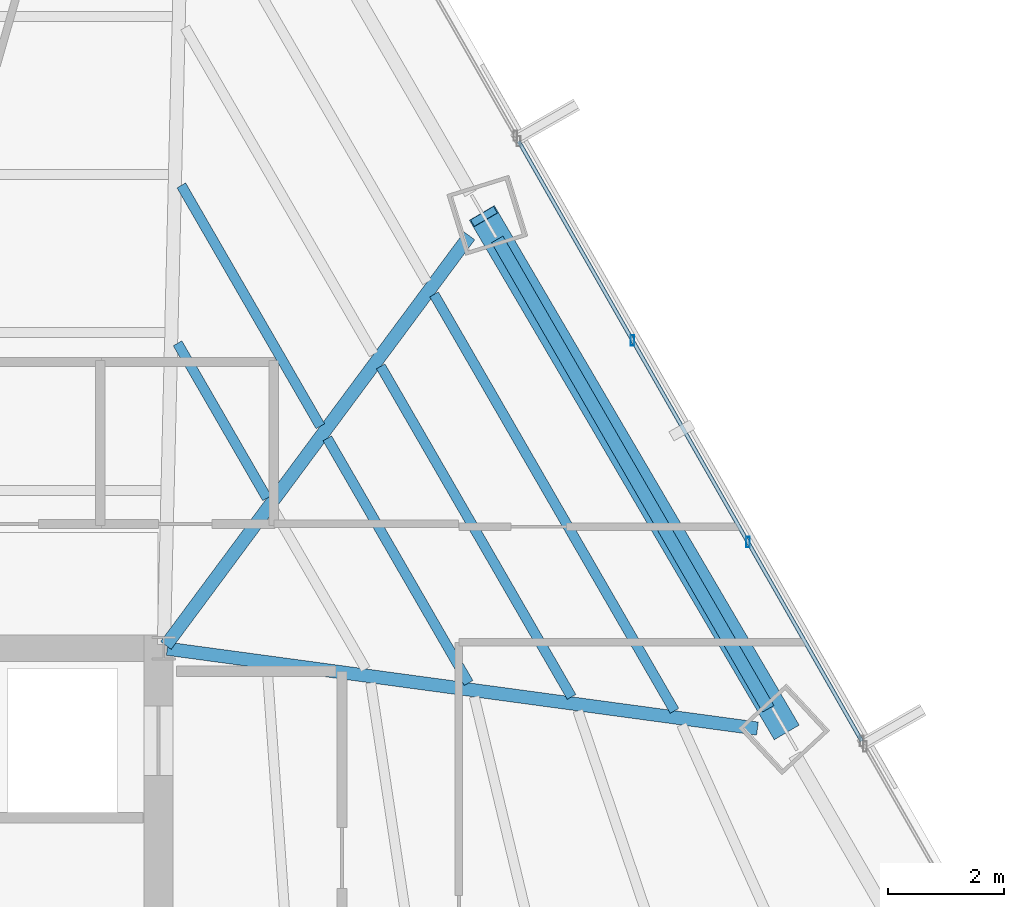
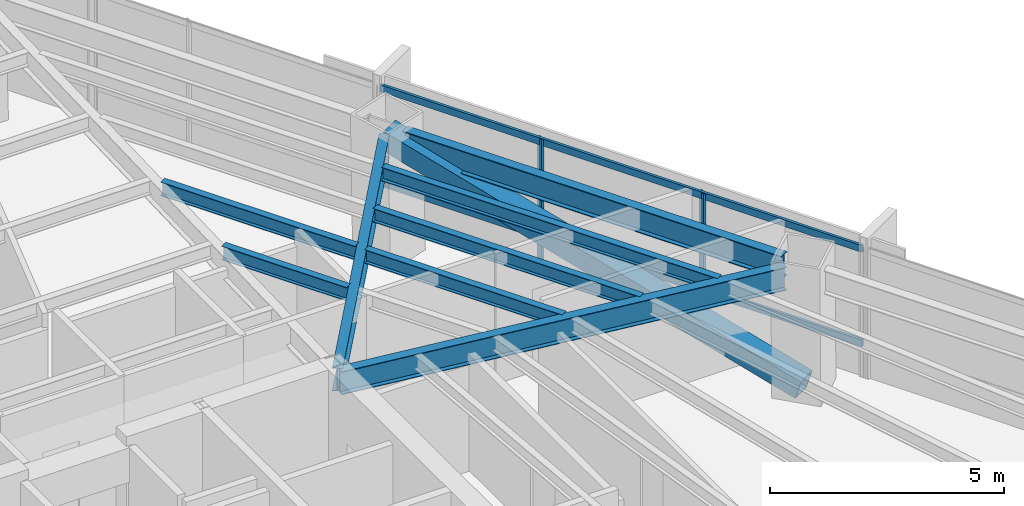
# One storey, part 22 of 36: 8 beams, 5 members, 1 element without a shape of its own.
"""IFC4 building model written with IfcOpenShell, lengths in metres."""

from ifc_helpers import new_model, si_unit, direction, frame, origin, origin_2d, place, context, subcontext, project, spatial, hollow_rectangle, i_section, extrude, source, transform, mapped, material, material_profile, profile_set, type_object, type_shapes, element, aggregate, save


model = new_model("IFC4")

# Units and contexts
model_context = context("Model", 3, precision=1e-05, world=origin(), true_north=direction((0.0, 1.0)))
body_context = subcontext(model_context, "Body", "Model", "MODEL_VIEW")
ifc_project = project(units=[si_unit("LENGTHUNIT", "METRE"), si_unit("AREAUNIT", "SQUARE_METRE"), si_unit("VOLUMEUNIT", "CUBIC_METRE"), si_unit("PLANEANGLEUNIT", "RADIAN"), si_unit("MASSUNIT", "GRAM", prefix="KILO")], contexts=[model_context])

# Site, building, storey
site_placement = place(None, origin())
site = spatial("IfcSite", under=ifc_project, at=site_placement, CompositionType="ELEMENT")
building_placement = place(site_placement, origin())
building = spatial("IfcBuilding", under=site, at=building_placement, Name="Caelisora Broadcast Tower", CompositionType="ELEMENT")
storey_placement = place(building_placement, frame((0.0, 0.0, 83.5)))
storey = spatial("IfcBuildingStorey", under=building, at=storey_placement, Name="L21", CompositionType="ELEMENT", Elevation=83.5)

# Beams
ifc_material_1 = material(Name="Steel Grade 350 (AS/NZS 3679.1)", Category="steel")
ifc_material_profile_1 = material_profile(ifc_material_1, i_section(OverallWidth=0.22900390625, OverallDepth=0.611572265625, WebThickness=0.011962890625, FlangeThickness=0.01953125, at=origin_2d()), Name="Steel Grade 350 (AS/NZS 3679.1)")
ifc_profile_set_1 = profile_set([ifc_material_profile_1], Name="Steel Grade 350 (AS/NZS 3679.1)")
beam_type_1 = type_object("IfcBeamType", Name="PG03", PredefinedType="BEAM", material=ifc_profile_set_1)
shared_shape_1 = source(origin(), body_context, "Body", "SweptSolid", [
    extrude(i_section(OverallWidth=0.22900390625, OverallDepth=0.611572265625, WebThickness=0.011962890625, FlangeThickness=0.01953125, at=origin_2d()), origin(), (0.0, 0.0, 1.0), 9.369384765625),
])
type_shapes(beam_type_1, [shared_shape_1])
beam_1_placement = place(storey_placement, frame((55.948486328125, 28.953125, 3.09423828125), z_axis=(-0.499984100898, 0.86603458294, 0.0), x_axis=(-0.86603458294, -0.499984100898, 0.0)))
element("IfcBeam", 1, at=beam_1_placement, inside=storey, type_object=beam_type_1, Name="L21 beam PG03", PredefinedType="BEAM", context=body_context, shape_type="MappedRepresentation", body=[
    mapped(shared_shape_1, transform((0.0, 0.0, 0.0), scale=1.0)),
])
ifc_material_profile_2 = material_profile(ifc_material_1, i_section(OverallWidth=0.22802734375, OverallDepth=0.602294921875, WebThickness=0.010498046875, FlangeThickness=0.014892578125, at=origin_2d()), Name="Steel Grade 350 (AS/NZS 3679.1)")
ifc_profile_set_2 = profile_set([ifc_material_profile_2], Name="Steel Grade 350 (AS/NZS 3679.1)")
beam_type_2 = type_object("IfcBeamType", Name="PG04", PredefinedType="BEAM", material=ifc_profile_set_2)
shared_shape_2 = source(origin(), body_context, "Body", "SweptSolid", [
    extrude(i_section(OverallWidth=0.22802734375, OverallDepth=0.602294921875, WebThickness=0.010498046875, FlangeThickness=0.014892578125, at=origin_2d()), origin(), (0.0, 0.0, 1.0), 8.813232421875),
])
beam_2_placement = place(storey_placement, frame((45.53564453125, 30.048095703125, 3.098876953125), z_axis=(0.595473966427, 0.803374604594, 0.0), x_axis=(-0.803374604594, 0.595473966427, 0.0)))
element("IfcBeam", 2, at=beam_2_placement, inside=storey, type_object=beam_type_2, Name="L21 beam PG04", PredefinedType="BEAM", context=body_context, shape_type="MappedRepresentation", body=[
    mapped(shared_shape_2, transform((0.0, 0.0, 0.0), scale=1.0)),
])
shared_shape_3 = source(origin(), body_context, "Body", "SweptSolid", [
    extrude(i_section(OverallWidth=0.22802734375, OverallDepth=0.602294921875, WebThickness=0.010498046875, FlangeThickness=0.014892578125, at=origin_2d()), origin(), (0.0, 0.0, 1.0), 10.2958984375),
])
type_shapes(beam_type_2, [shared_shape_2, shared_shape_3])
beam_3_placement = place(storey_placement, frame((45.5595703125, 29.991943359375, 3.098876953125), z_axis=(0.990965448939, -0.134117407557, 0.0), x_axis=(0.134117407557, 0.990965448939, 0.0)))
element("IfcBeam", 3, at=beam_3_placement, inside=storey, type_object=beam_type_2, Name="L21 beam PG04", PredefinedType="BEAM", context=body_context, shape_type="MappedRepresentation", body=[
    mapped(shared_shape_3, transform((0.0, 0.0, 0.0), scale=1.0)),
])
ifc_material_profile_3 = material_profile(ifc_material_1, i_section(OverallWidth=0.172119140625, OverallDepth=0.358642578125, WebThickness=0.008056640625, FlangeThickness=0.012939453125, at=origin_2d()), Name="Steel Grade 350 (AS/NZS 3679.1)")
ifc_profile_set_3 = profile_set([ifc_material_profile_3], Name="Steel Grade 350 (AS/NZS 3679.1)")
beam_type_3 = type_object("IfcBeamType", Name="SB02", PredefinedType="JOIST", material=ifc_profile_set_3)
shared_shape_4 = source(origin(), body_context, "Body", "SweptSolid", [
    extrude(i_section(OverallWidth=0.172119140625, OverallDepth=0.358642578125, WebThickness=0.008056640625, FlangeThickness=0.012939453125, at=origin_2d()), origin(), (0.0, 0.0, 1.0), 3.092529296875),
])
beam_4_placement = place(storey_placement, frame((47.283935546875, 32.593505859375, 3.220703125), z_axis=(-0.499968473174, 0.866043605041, 0.0), x_axis=(-0.866043605041, -0.499968473174, 0.0)))
element("IfcBeam", 4, at=beam_4_placement, inside=storey, type_object=beam_type_3, Name="L21 beam SB02", PredefinedType="JOIST", context=body_context, shape_type="MappedRepresentation", body=[
    mapped(shared_shape_4, transform((0.0, 0.0, 0.0), scale=1.0)),
])
shared_shape_5 = source(origin(), body_context, "Body", "SweptSolid", [
    extrude(i_section(OverallWidth=0.172119140625, OverallDepth=0.358642578125, WebThickness=0.008056640625, FlangeThickness=0.012939453125, at=origin_2d()), origin(), (0.0, 0.0, 1.0), 4.807373046875),
])
beam_5_placement = place(storey_placement, frame((48.206298828125, 33.837890625, 3.220703125), z_axis=(-0.500016981723, 0.86601559916, 0.0), x_axis=(-0.86601559916, -0.500016981723, 0.0)))
element("IfcBeam", 5, at=beam_5_placement, inside=storey, type_object=beam_type_3, Name="L21 beam SB02", PredefinedType="JOIST", context=body_context, shape_type="MappedRepresentation", body=[
    mapped(shared_shape_5, transform((0.0, 0.0, 0.0), scale=1.0)),
])
shared_shape_6 = source(origin(), body_context, "Body", "SweptSolid", [
    extrude(i_section(OverallWidth=0.172119140625, OverallDepth=0.358642578125, WebThickness=0.008056640625, FlangeThickness=0.012939453125, at=origin_2d()), origin(), (0.0, 0.0, 1.0), 4.8828125),
])
beam_6_placement = place(storey_placement, frame((50.768798828125, 29.3994140625, 3.220703125), z_axis=(-0.500011000363, 0.866019052629, 0.0), x_axis=(-0.866019052629, -0.500011000363, 0.0)))
element("IfcBeam", 6, at=beam_6_placement, inside=storey, type_object=beam_type_3, Name="L21 beam SB02", PredefinedType="JOIST", context=body_context, shape_type="MappedRepresentation", body=[
    mapped(shared_shape_6, transform((0.0, 0.0, 0.0), scale=1.0)),
])
shared_shape_7 = source(origin(), body_context, "Body", "SweptSolid", [
    extrude(i_section(OverallWidth=0.172119140625, OverallDepth=0.358642578125, WebThickness=0.008056640625, FlangeThickness=0.012939453125, at=origin_2d()), origin(), (0.0, 0.0, 1.0), 6.59765625),
])
beam_7_placement = place(storey_placement, frame((52.548583984375, 29.15869140625, 3.220703125), z_axis=(-0.500007539231, 0.866021050964, 0.0), x_axis=(-0.866021050964, -0.500007539231, 0.0)))
element("IfcBeam", 7, at=beam_7_placement, inside=storey, type_object=beam_type_3, Name="L21 beam SB02", PredefinedType="JOIST", context=body_context, shape_type="MappedRepresentation", body=[
    mapped(shared_shape_7, transform((0.0, 0.0, 0.0), scale=1.0)),
])
shared_shape_8 = source(origin(), body_context, "Body", "SweptSolid", [
    extrude(i_section(OverallWidth=0.172119140625, OverallDepth=0.358642578125, WebThickness=0.008056640625, FlangeThickness=0.012939453125, at=origin_2d()), origin(), (0.0, 0.0, 1.0), 8.3125),
])
type_shapes(beam_type_3, [shared_shape_4, shared_shape_5, shared_shape_6, shared_shape_7, shared_shape_8])
beam_8_placement = place(storey_placement, frame((54.328369140625, 28.917724609375, 3.220703125), z_axis=(-0.50000550616, 0.866022224778, 0.0), x_axis=(-0.866022224778, -0.50000550616, 0.0)))
element("IfcBeam", 8, at=beam_8_placement, inside=storey, type_object=beam_type_3, Name="L21 beam SB02", PredefinedType="JOIST", context=body_context, shape_type="MappedRepresentation", body=[
    mapped(shared_shape_8, transform((0.0, 0.0, 0.0), scale=1.0)),
])

# Member
ifc_material_2 = material(Name="Steel Grade 450 L15 (AS/NZS 3678)", Category="steel")
ifc_material_profile_4 = material_profile(ifc_material_2, hollow_rectangle(XDim=0.5, YDim=0.5, WallThickness=0.02001953125, at=origin_2d()), Name="Steel Grade 450 L15 (AS/NZS 3678)")
ifc_profile_set_4 = profile_set([ifc_material_profile_4], Name="Steel Grade 450 L15 (AS/NZS 3678)")
member_type_1 = type_object("IfcMemberType", Name="BR02", PredefinedType="BRACE", material=ifc_profile_set_4)
shared_shape_9 = source(origin(), body_context, "Body", "SweptSolid", [
    extrude(hollow_rectangle(XDim=0.5, YDim=0.5, WallThickness=0.02001953125, at=origin_2d()), origin(), (0.0, 0.0, 1.0), 10.70263671875),
])
type_shapes(member_type_1, [shared_shape_9])
member_1_placement = place(storey_placement, frame((56.23291015625, 28.60498046875, 0.10009765625), z_axis=(-0.485788742982, 0.827912126116, 0.280304849444), x_axis=(-0.86248839487, -0.506076840722, 0.0)))
element("IfcMember", 9, at=member_1_placement, inside=storey, type_object=member_type_1, Name="L21 perimeter brace BR02", PredefinedType="BRACE", context=body_context, shape_type="MappedRepresentation", body=[
    mapped(shared_shape_9, transform((0.0, 0.0, 0.0), scale=1.0)),
])

# Curtain wall, members
ifc_material_3 = material(Name="Unitised Aluminium Insulated Shadow-Box Spandrel Curtain Wall", Category="aluminium")
curtain_wall_type = type_object("IfcCurtainWallType", Name="CW-SP1", PredefinedType="NOTDEFINED", material=ifc_material_3)
curtain_wall_placement = place(storey_placement, origin())
curtain_wall = element("IfcCurtainWall", 10, at=curtain_wall_placement, inside=storey, type_object=curtain_wall_type, Name="L21 curtain wall CW-SP1", PredefinedType="NOTDEFINED")
ifc_material_4 = material(Name="Aluminium 6063-T6 Anodised Terracotta Bronze", Category="aluminium")
ifc_material_profile_5 = material_profile(ifc_material_4, hollow_rectangle(XDim=0.06494140625, YDim=0.179931640625, WallThickness=0.00341796875, at=origin_2d()), Name="Aluminium 6063-T6 Anodised Terracotta Bronze")
ifc_profile_set_5 = profile_set([ifc_material_profile_5], Name="Aluminium 6063-T6 Anodised Terracotta Bronze")
member_type_2 = type_object("IfcMemberType", Name="CWM-02", PredefinedType="MULLION", material=ifc_profile_set_5)
shared_shape_10 = source(origin(), body_context, "Body", "SweptSolid", [
    extrude(hollow_rectangle(XDim=0.06494140625, YDim=0.179931640625, WallThickness=0.00341796875, at=origin_2d()), origin(), (0.0, 0.0, 1.0), 3.39990234375),
])
type_shapes(member_type_2, [shared_shape_10])
member_2_placement = place(storey_placement, frame((53.603271484375, 35.322021484375, 0.0), z_axis=(0.0, 0.0, 1.0), x_axis=(1.0, 0.0, 0.0)))
member_2 = element("IfcMember", 11, at=member_2_placement, type_object=member_type_2, Name="L21-CW-B02 mullion #1", PredefinedType="MULLION", context=body_context, shape_type="MappedRepresentation", body=[
    mapped(shared_shape_10, transform((0.0, 0.0, 0.0), scale=1.0)),
])
member_3_placement = place(storey_placement, frame((55.59716796875, 31.83642578125, 0.0), z_axis=(0.0, 0.0, 1.0), x_axis=(1.0, 0.0, 0.0)))
member_3 = element("IfcMember", 12, at=member_3_placement, type_object=member_type_2, Name="L21-CW-B02 mullion #2", PredefinedType="MULLION", context=body_context, shape_type="MappedRepresentation", body=[
    mapped(shared_shape_10, transform((0.0, 0.0, 0.0), scale=1.0)),
])
ifc_material_profile_6 = material_profile(ifc_material_4, hollow_rectangle(XDim=0.06494140625, YDim=0.179931640625, WallThickness=0.00341796875, at=origin_2d()), Name="Aluminium 6063-T6 Anodised Terracotta Bronze")
ifc_profile_set_6 = profile_set([ifc_material_profile_6], Name="Aluminium 6063-T6 Anodised Terracotta Bronze")
member_type_3 = type_object("IfcMemberType", Name="CWT-01", PredefinedType="USERDEFINED", material=ifc_profile_set_6)
shared_shape_11 = source(origin(), body_context, "Body", "SweptSolid", [
    extrude(hollow_rectangle(XDim=0.06494140625, YDim=0.179931640625, WallThickness=0.00341796875, at=origin_2d()), origin(), (0.0, 0.0, 1.0), 11.946533203125),
])
type_shapes(member_type_3, [shared_shape_11])
member_4_placement = place(storey_placement, frame((51.634033203125, 38.76416015625, 0.85009765625), z_axis=(0.496572432415, -0.86799528764, 0.0), x_axis=(0.86799528764, 0.496572432415, 0.0)))
member_4 = element("IfcMember", 13, at=member_4_placement, type_object=member_type_3, Name="L21-CW-B02 transom #1", ObjectType="TRANSOM", PredefinedType="USERDEFINED", context=body_context, shape_type="MappedRepresentation", body=[
    mapped(shared_shape_11, transform((0.0, 0.0, 0.0), scale=1.0)),
])
member_5_placement = place(storey_placement, frame((51.634033203125, 38.76416015625, 3.320068359375), z_axis=(0.496572432415, -0.86799528764, 0.0), x_axis=(0.86799528764, 0.496572432415, 0.0)))
member_5 = element("IfcMember", 14, at=member_5_placement, type_object=member_type_3, Name="L21-CW-B02 transom #2", ObjectType="TRANSOM", PredefinedType="USERDEFINED", context=body_context, shape_type="MappedRepresentation", body=[
    mapped(shared_shape_11, transform((0.0, 0.0, 0.0), scale=1.0)),
])
aggregate(curtain_wall, [member_2, member_3, member_4, member_5])

save(model, "model.ifc")
